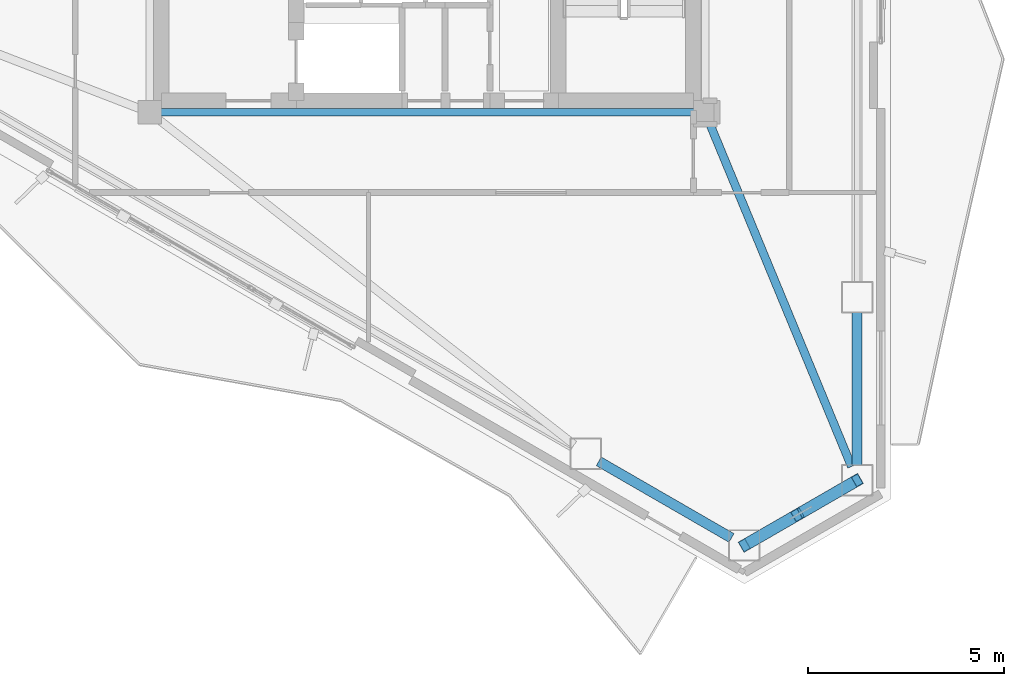
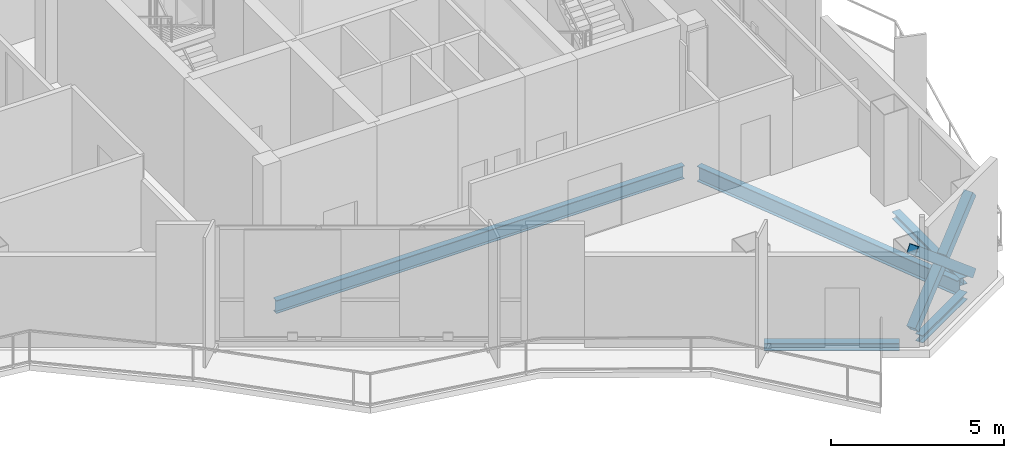
# One storey, part 4 of 15: 5 beams, 3 members.
"""IFC4 building model written with IfcOpenShell, lengths in metres."""

from ifc_helpers import new_model, si_unit, direction, frame, origin, origin_2d, place, context, subcontext, project, spatial, hollow_rectangle, i_section, extrude, material, material_profile, profile_set, type_object, element, save


model = new_model("IFC4")

# Units and contexts
model_context = context("Model", 3, precision=1e-05, world=origin(), true_north=direction((0.0, 1.0)))
body_context = subcontext(model_context, "Body", "Model", "MODEL_VIEW")
ifc_project = project(units=[si_unit("LENGTHUNIT", "METRE"), si_unit("AREAUNIT", "SQUARE_METRE"), si_unit("VOLUMEUNIT", "CUBIC_METRE"), si_unit("PLANEANGLEUNIT", "RADIAN"), si_unit("MASSUNIT", "GRAM", prefix="KILO")], contexts=[model_context])

# Site, building, storey
site_placement = place(None, origin())
site = spatial("IfcSite", under=ifc_project, at=site_placement, CompositionType="ELEMENT")
building_placement = place(site_placement, origin())
building = spatial("IfcBuilding", under=site, at=building_placement, Name="Mersakhor Tower and Convention Hall", CompositionType="ELEMENT")
storey_placement = place(building_placement, frame((0.0, 0.0, 218.39990234375)))
storey = spatial("IfcBuildingStorey", under=building, at=storey_placement, Name="L61", CompositionType="ELEMENT", Elevation=218.39990234375)

# Beams
ifc_material_1 = material(Name="Steel S355", Category="steel")
ifc_material_profile_1 = material_profile(ifc_material_1, i_section(OverallWidth=0.19140625, OverallDepth=0.4599609375, WebThickness=0.010009765625, FlangeThickness=0.01611328125, at=origin_2d()), Name="UB 457x191x82")
ifc_profile_set_1 = profile_set([ifc_material_profile_1], Name="Steel S355")
beam_type_1 = type_object("IfcBeamType", Name="BM-FB-457", PredefinedType="BEAM", material=ifc_profile_set_1)
beam_1_placement = place(storey_placement, frame((35.820068359375, 20.449951171875, -0.510009765625), z_axis=(-1.0, 0.0, 0.0), x_axis=(0.0, -1.0, 0.0)))
element("IfcBeam", 1, at=beam_1_placement, inside=storey, type_object=beam_type_1, Name="L61 Core Ring Tie Beam CRB-4", PredefinedType="BEAM", context=body_context, shape_type="SweptSolid", body=[
    extrude(i_section(OverallWidth=0.19140625, OverallDepth=0.4599609375, WebThickness=0.010009765625, FlangeThickness=0.01611328125, at=origin_2d()), origin(), (0.0, 0.0, 1.0), 13.64013671875),
])
ifc_material_2 = material(Name="Steel S355", Category="steel")
ifc_material_profile_2 = material_profile(ifc_material_2, i_section(OverallWidth=0.2099609375, OverallDepth=0.53662109375, WebThickness=0.0107421875, FlangeThickness=0.017333984375, at=origin_2d()), Name="UB 533x210x101")
ifc_profile_set_2 = profile_set([ifc_material_profile_2], Name="Steel S355")
beam_type_2 = type_object("IfcBeamType", Name="BM-FB-533", PredefinedType="BEAM", material=ifc_profile_set_2)
beam_2_placement = place(storey_placement, frame((36.20703125, 20.19140625, -0.548095703125), z_axis=(0.382178028302, -0.924088715808, 0.0), x_axis=(0.924088715808, 0.382178028302, 0.0)))
element("IfcBeam", 2, at=beam_2_placement, inside=storey, type_object=beam_type_2, Name="L61 Primary Floor Girder FG-4", PredefinedType="BEAM", context=body_context, shape_type="SweptSolid", body=[
    extrude(i_section(OverallWidth=0.2099609375, OverallDepth=0.53662109375, WebThickness=0.0107421875, FlangeThickness=0.017333984375, at=origin_2d()), origin(), (0.0, 0.0, 1.0), 9.514404296875),
])
ifc_material_3 = material(Name="Steel S355", Category="steel")
ifc_material_profile_3 = material_profile(ifc_material_3, i_section(OverallWidth=0.25634765625, OverallDepth=0.26025390625, WebThickness=0.01025390625, FlangeThickness=0.017333984375, at=origin_2d()), Name="UC 254x254x89")
ifc_profile_set_3 = profile_set([ifc_material_profile_3], Name="Steel S355")
beam_type_3 = type_object("IfcBeamType", Name="BM-SPD-UC254", PredefinedType="SPANDREL", material=ifc_profile_set_3)
beam_3_placement = place(storey_placement, frame((39.98828125, 15.34716796875, -0.409912109375), z_axis=(0.0, -1.0, 0.0), x_axis=(1.0, 0.0, 0.0)))
element("IfcBeam", 3, at=beam_3_placement, inside=storey, type_object=beam_type_3, Name="L61 Perimeter Spandrel Beam SPB-07", PredefinedType="SPANDREL", context=body_context, shape_type="SweptSolid", body=[
    extrude(i_section(OverallWidth=0.25634765625, OverallDepth=0.26025390625, WebThickness=0.01025390625, FlangeThickness=0.017333984375, at=origin_2d()), origin(), (0.0, 0.0, 1.0), 3.919189453125),
])
beam_4_placement = place(storey_placement, frame((39.6591796875, 10.85791015625, -0.409912109375), z_axis=(-0.866036909293, -0.499980071345, 0.0), x_axis=(0.499980071345, -0.866036909293, 0.0)))
element("IfcBeam", 4, at=beam_4_placement, inside=storey, type_object=beam_type_3, Name="L61 Perimeter Spandrel Beam SPB-08", PredefinedType="SPANDREL", context=body_context, shape_type="SweptSolid", body=[
    extrude(i_section(OverallWidth=0.25634765625, OverallDepth=0.26025390625, WebThickness=0.01025390625, FlangeThickness=0.017333984375, at=origin_2d()), origin(), (0.0, 0.0, 1.0), 2.5703125),
])
beam_5_placement = place(storey_placement, frame((36.77490234375, 9.57275390625, -0.409912109375), z_axis=(-0.866007153761, 0.500031608635, 0.0), x_axis=(-0.500031608635, -0.866007153761, 0.0)))
element("IfcBeam", 5, at=beam_5_placement, inside=storey, type_object=beam_type_3, Name="L61 Perimeter Spandrel Beam SPB-09", PredefinedType="SPANDREL", context=body_context, shape_type="SweptSolid", body=[
    extrude(i_section(OverallWidth=0.25634765625, OverallDepth=0.26025390625, WebThickness=0.01025390625, FlangeThickness=0.017333984375, at=origin_2d()), origin(), (0.0, 0.0, 1.0), 3.919189453125),
])

# Members
ifc_material_4 = material(Name="Steel S355", Category="steel")
ifc_material_profile_4 = material_profile(ifc_material_4, hollow_rectangle(XDim=0.300048828125, YDim=0.300048828125, WallThickness=0.01611328125, at=origin_2d()), Name="SHS 300x300x16")
ifc_profile_set_4 = profile_set([ifc_material_profile_4], Name="Steel S355")
member_type = type_object("IfcMemberType", Name="MB-BRC-SHS300", PredefinedType="BRACE", material=ifc_profile_set_4)
member_1_placement = place(storey_placement, frame((39.98828125, 11.048095703125, 0.150146484375), z_axis=(-0.661896274505, -0.382156296631, 0.644864239001), x_axis=(0.50001011158, -0.866019565782, 0.0)))
element("IfcMember", 6, at=member_1_placement, inside=storey, type_object=member_type, Name="L61 Chamfer Braced Frame Diagonal CB-2A", PredefinedType="BRACE", context=body_context, shape_type="SweptSolid", body=[
    extrude(hollow_rectangle(XDim=0.300048828125, YDim=0.300048828125, WallThickness=0.01611328125, at=origin_2d()), origin(), (0.0, 0.0, 1.0), 4.357666015625),
])
member_2_placement = place(storey_placement, frame((37.10400390625, 9.3828125, 0.150146484375), z_axis=(0.661902586078, 0.382169225654, 0.644850098477), x_axis=(-0.500019222537, 0.866014305363, 0.0)))
element("IfcMember", 7, at=member_2_placement, inside=storey, type_object=member_type, Name="L61 Chamfer Braced Frame Diagonal CB-2B Lower Half", PredefinedType="BRACE", context=body_context, shape_type="SweptSolid", body=[
    extrude(hollow_rectangle(XDim=0.300048828125, YDim=0.300048828125, WallThickness=0.01611328125, at=origin_2d()), origin(), (0.0, 0.0, 1.0), 2.018798828125),
])
member_3_placement = place(storey_placement, frame((38.65234375, 10.276611328125, 1.658447265625), z_axis=(0.661834623759, 0.382199819276, 0.644901720373), x_axis=(-0.50008774942, 0.865974735705, 0.0)))
element("IfcMember", 8, at=member_3_placement, inside=storey, type_object=member_type, Name="L61 Chamfer Braced Frame Diagonal CB-2B Upper Half", PredefinedType="BRACE", context=body_context, shape_type="SweptSolid", body=[
    extrude(hollow_rectangle(XDim=0.300048828125, YDim=0.300048828125, WallThickness=0.01611328125, at=origin_2d()), origin(), (0.0, 0.0, 1.0), 2.0185546875),
])

save(model, "model.ifc")
